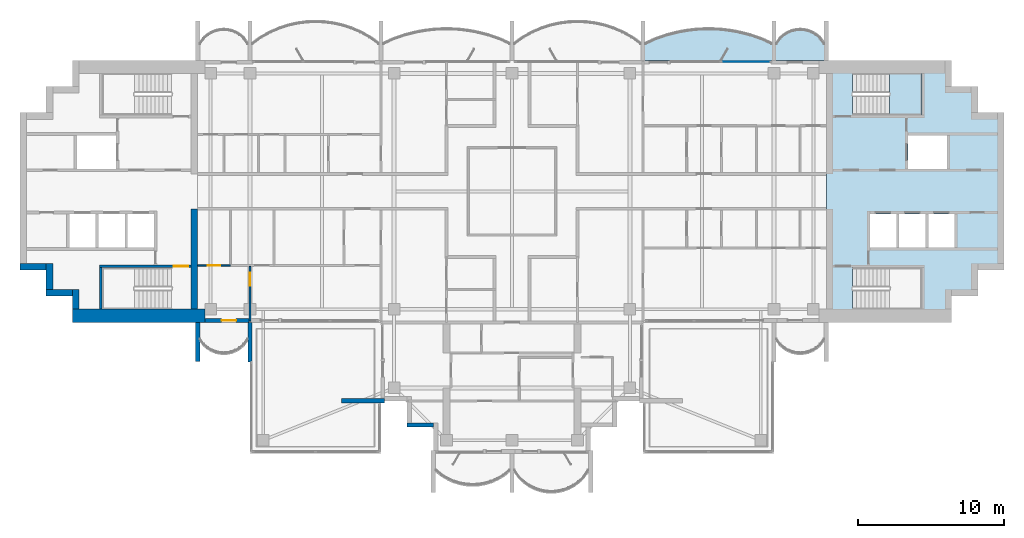
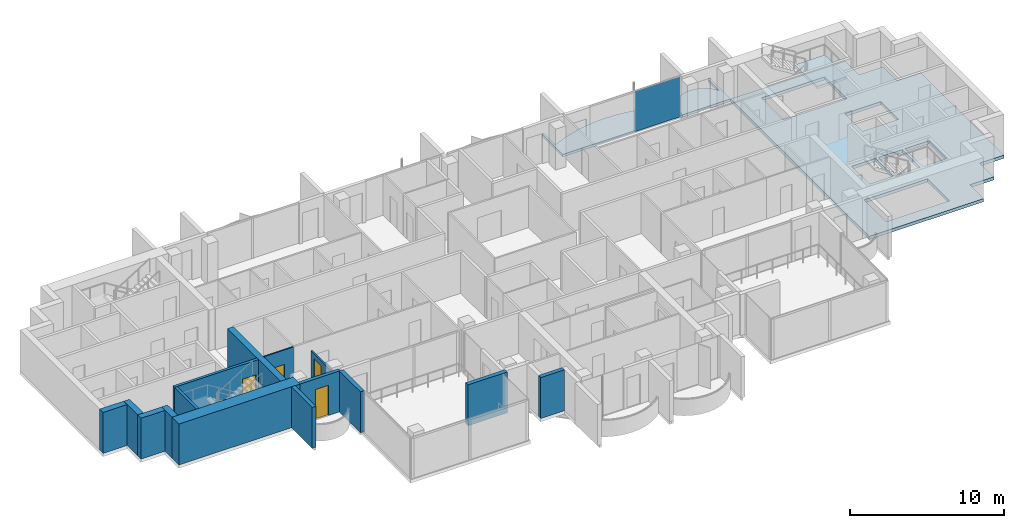
# One storey, part 6 of 16: 15 walls, 4 doors, 4 slabs, 1 plate, 4 openings, 2 elements without a shape of their own.
"""IFC4 building model written with IfcOpenShell, lengths in metres."""

from ifc_helpers import new_model, si_unit, direction, frame, frame_2d, origin, origin_2d, place, context, subcontext, project, spatial, polyline, rectangle, outline, extrude, material, layer, layer_set, type_object, element, fill, aggregate, save


model = new_model("IFC4")

# Units and contexts
model_context = context("Model", 3, precision=1e-05, world=origin(), true_north=direction((0.0, 1.0)))
body_context = subcontext(model_context, "Body", "Model", "MODEL_VIEW")
ifc_project = project(units=[si_unit("LENGTHUNIT", "METRE"), si_unit("AREAUNIT", "SQUARE_METRE"), si_unit("VOLUMEUNIT", "CUBIC_METRE"), si_unit("PLANEANGLEUNIT", "RADIAN"), si_unit("MASSUNIT", "GRAM", prefix="KILO")], contexts=[model_context])

# Site, building, storey
site_placement = place(None, origin())
site = spatial("IfcSite", under=ifc_project, at=site_placement, CompositionType="ELEMENT")
building_placement = place(site_placement, origin())
building = spatial("IfcBuilding", under=site, at=building_placement, Name="Perihelion Cross Residences", CompositionType="ELEMENT")
storey_placement = place(building_placement, frame((0.0, 0.0, 246.5)))
storey = spatial("IfcBuildingStorey", under=building, at=storey_placement, Name="L62", CompositionType="ELEMENT", Elevation=246.5)

# Slabs
ifc_material_1 = material(Name="Concrete C40/50", Category="concrete")
ifc_layer_1 = layer(ifc_material_1, 0.199951171875)
ifc_layer_set_1 = layer_set([ifc_layer_1], Name="Balcony slab 200")
slab_type_1 = type_object("IfcSlabType", Name="Balcony slab 200", PredefinedType="FLOOR", material=ifc_layer_set_1)
slab_1_placement = place(storey_placement, frame((0.0, 0.0, -0.199951171875)))
element("IfcSlab", 1, at=slab_1_placement, inside=storey, type_object=slab_type_1, Name="Slab BK1 L62 east side north bay 1 balcony", PredefinedType="FLOOR", context=body_context, shape_type="SweptSolid", body=[
    extrude(outline(polyline([(21.60009765625, 9.0), (18.0, 9.0), (18.0, 11.699951171875), (18.14990234375, 11.699951171875), (18.14990234375, 10.199951171875), (18.425048828125, 10.568603515625), (18.699951171875, 10.806396484375), (18.97509765625, 10.96875), (19.25, 11.07568359375), (19.52490234375, 11.136962890625), (19.800048828125, 11.156982421875), (20.074951171875, 11.136962890625), (20.35009765625, 11.07568359375), (20.625, 10.96875), (20.89990234375, 10.806396484375), (21.175048828125, 10.568603515625), (21.449951171875, 10.199951171875), (21.449951171875, 11.699951171875), (21.60009765625, 11.699951171875), (21.60009765625, 9.0)])), origin(), (0.0, 0.0, 1.0), 0.199951171875),
])
slab_2_placement = place(storey_placement, frame((0.0, 0.0, -0.199951171875)))
element("IfcSlab", 2, at=slab_2_placement, inside=storey, type_object=slab_type_1, Name="Slab BK1 L62 east side north bay 2 balcony", PredefinedType="FLOOR", context=body_context, shape_type="SweptSolid", body=[
    extrude(outline(polyline([(18.0, 9.0), (9.0, 9.0), (9.0, 11.699951171875), (9.14990234375, 11.699951171875), (9.14990234375, 10.199951171875), (9.875, 10.51708984375), (10.60009765625, 10.7685546875), (11.324951171875, 10.959716796875), (12.050048828125, 11.093994140625), (12.77490234375, 11.173583984375), (13.5, 11.199951171875), (14.22509765625, 11.173583984375), (14.949951171875, 11.093994140625), (15.675048828125, 10.959716796875), (16.39990234375, 10.7685546875), (17.125, 10.51708984375), (17.85009765625, 10.199951171875), (17.85009765625, 11.699951171875), (18.0, 11.699951171875), (18.0, 9.0)])), origin(), (0.0, 0.0, 1.0), 0.199951171875),
])

# Curtain wall, plate
ifc_material_2 = material(Name="Bronze anodised aluminium, tinted glazing", Category="aluminium")
curtain_wall_type = type_object("IfcCurtainWallType", Name="CW1", PredefinedType="NOTDEFINED", material=ifc_material_2)
curtain_wall_placement = place(storey_placement, origin())
curtain_wall = element("IfcCurtainWall", 3, at=curtain_wall_placement, inside=storey, type_object=curtain_wall_type, Name="Curtain wall CW1 L62 east side north bay 2", PredefinedType="NOTDEFINED")
ifc_material_3 = material(Name="Tinted laminated glass", Category="glass")
ifc_layer_2 = layer(ifc_material_3, 0.028076171875)
ifc_layer_set_2 = layer_set([ifc_layer_2], Name="CW1 panel")
plate_type = type_object("IfcPlateType", Name="CW1 panel", PredefinedType="CURTAIN_PANEL", material=ifc_layer_set_2)
plate_placement = place(storey_placement, frame((16.06005859375, 8.89990234375, 0.0), z_axis=(0.0, 0.0, 1.0), x_axis=(-1.0, 0.0, 0.0)))
plate = element("IfcPlate", 4, at=plate_placement, type_object=plate_type, Name="CW1 panel 1", PredefinedType="CURTAIN_PANEL", context=body_context, shape_type="SweptSolid", body=[
    extrude(rectangle(XDim=3.360107421875, YDim=0.028076171875, at=origin_2d()), origin(), (0.0, 0.0, 1.0), 3.18994140625),
])
aggregate(curtain_wall, [plate])

# Slab
ifc_material_4 = material(Name="Concrete C40/50", Category="concrete")
ifc_layer_3 = layer(ifc_material_4, 0.25)
ifc_layer_set_3 = layer_set([ifc_layer_3], Name="Core floor slab 250")
slab_type_2 = type_object("IfcSlabType", Name="Core floor slab 250", PredefinedType="FLOOR", material=ifc_layer_set_3)
slab_3_placement = place(storey_placement, frame((0.0, 0.0, -0.25)))
element("IfcSlab", 5, at=slab_3_placement, inside=storey, type_object=slab_type_2, Name="East core floor slab", PredefinedType="FLOOR", context=body_context, shape_type="SweptSolid", body=[
    extrude(outline(polyline([(30.199951171875, 7.199951171875), (32.0, 7.199951171875), (32.0, 5.39990234375), (33.800048828125, 5.39990234375), (33.800048828125, -5.39990234375), (32.0, -5.39990234375), (32.0, -7.199951171875), (30.199951171875, -7.199951171875), (30.199951171875, -9.0), (21.60009765625, -9.0), (21.60009765625, 9.0), (30.199951171875, 9.0), (30.199951171875, 7.199951171875)]), holes=[polyline([(28.14990234375, -8.10009765625), (28.14990234375, -5.25), (23.405029296875, -5.25), (23.405029296875, -8.10009765625), (28.14990234375, -8.10009765625)]), polyline([(24.60009765625, -1.550048828125), (24.60009765625, -3.85009765625), (26.39990234375, -3.85009765625), (26.39990234375, -1.550048828125), (24.60009765625, -1.550048828125)]), polyline([(26.60009765625, -1.550048828125), (26.60009765625, -3.85009765625), (28.39990234375, -3.85009765625), (28.39990234375, -1.550048828125), (26.60009765625, -1.550048828125)]), polyline([(28.60009765625, -3.85009765625), (30.39990234375, -3.85009765625), (30.39990234375, -1.550048828125), (28.60009765625, -1.550048828125), (28.60009765625, -3.85009765625)]), polyline([(27.199951171875, 3.85009765625), (27.199951171875, 1.550048828125), (29.89990234375, 1.550048828125), (29.89990234375, 3.85009765625), (27.199951171875, 3.85009765625)]), polyline([(23.405029296875, 5.25), (28.14990234375, 5.25), (28.14990234375, 8.10009765625), (23.405029296875, 8.10009765625), (23.405029296875, 5.25)])]), origin(), (0.0, 0.0, 1.0), 0.25),
])

# Stair, slab
ifc_material_5 = material(Name="Concrete C40/50", Category="concrete")
stair_type = type_object("IfcStairType", Name="Exit stair, half-turn", PredefinedType="HALF_TURN_STAIR", material=ifc_material_5)
stair_placement = place(storey_placement, origin())
stair = element("IfcStair", 6, at=stair_placement, inside=storey, type_object=stair_type, Name="L62 East core exit stair 1", PredefinedType="HALF_TURN_STAIR")
ifc_material_6 = material(Name="Concrete C40/50", Category="concrete")
ifc_layer_4 = layer(ifc_material_6, 0.199951171875)
ifc_layer_set_4 = layer_set([ifc_layer_4], Name="Exit stair landing 200")
slab_type_3 = type_object("IfcSlabType", Name="Exit stair landing 200", PredefinedType="LANDING", material=ifc_layer_set_4)
slab_4_placement = place(storey_placement, frame((0.0, 0.0, 1.550048828125)))
slab_4 = element("IfcSlab", 7, at=slab_4_placement, type_object=slab_type_3, Name="ST-E1 landing 1", PredefinedType="LANDING", context=body_context, shape_type="SweptSolid", body=[
    extrude(outline(polyline([(25.919921875, 5.25), (28.14990234375, 5.25), (28.14990234375, 8.10009765625), (25.919921875, 8.10009765625), (25.919921875, 5.25)])), origin(), (0.0, 0.0, 1.0), 0.199951171875),
])
aggregate(stair, [slab_4])

# Wall, opening, door
ifc_material_7 = material(Name="Concrete C30/37, bronze-clad", Category="concrete")
ifc_layer_5 = layer(ifc_material_7, 0.25)
ifc_layer_set_5 = layer_set([ifc_layer_5], Name="Bronze-clad pier wall 250")
wall_type_1 = type_object("IfcWallType", Name="Bronze-clad pier wall 250", PredefinedType="SOLIDWALL", material=ifc_layer_set_5)
wall_1_placement = place(storey_placement, frame((-21.10009765625, -8.875, 0.0), z_axis=(0.0, 0.0, 1.0), x_axis=(1.0, 0.0, 0.0)))
wall_1 = element("IfcWall", 8, at=wall_1_placement, inside=storey, type_object=wall_type_1, Name="Wall FW1 L62 west side south bay 1 pier", PredefinedType="SOLIDWALL", context=body_context, shape_type="SweptSolid", body=[
    extrude(rectangle(XDim=3.0400390625, YDim=0.25, at=frame_2d((1.52001953125, 0.0))), origin(), (0.0, 0.0, 1.0), 3.25),
])
opening_1_placement = place(wall_1_placement, frame((1.14990234375, 0.0, 0.0)))
opening_1 = element("IfcOpeningElement", 9, at=opening_1_placement, cuts=wall_1, Name="Opening L62.E07", PredefinedType="OPENING", context=body_context, shape_type="SweptSolid", body=[
    extrude(rectangle(XDim=1.0, YDim=2.39990234375, at=frame_2d((0.5, 1.199951171875))), frame((0.0, 0.135009765625, 0.0), z_axis=(0.0, -1.0, 0.0), x_axis=(1.0, 0.0, 0.0)), (0.0, 0.0, 1.0), 0.27001953125),
])
ifc_material_8 = material(Name="Bronze anodised aluminium, glazed", Category="aluminium")
door_type_1 = type_object("IfcDoorType", Name="Balcony door 1000 x 2400", OperationType="NOTDEFINED", PredefinedType="DOOR", material=ifc_material_8)
door_1_placement = place(opening_1_placement, origin())
door_1 = element("IfcDoor", 10, at=door_1_placement, inside=storey, type_object=door_type_1, Name="Door L62.E07 west side south bay 1", OperationType="SINGLE_SWING_LEFT", OverallHeight=2.39990234375, OverallWidth=1.0, PredefinedType="DOOR", context=body_context, shape_type="SweptSolid", body=[
    extrude(rectangle(XDim=1.0, YDim=2.39990234375, at=frame_2d((0.5, 1.199951171875))), frame((0.0, 0.02490234375, 0.0), z_axis=(0.0, -1.0, 0.0), x_axis=(1.0, 0.0, 0.0)), (0.0, 0.0, 1.0), 0.050048828125),
])
fill(opening_1, door_1)

# Walls
ifc_material_9 = material(Name="Concrete C30/37, bronze-clad", Category="concrete")
ifc_layer_6 = layer(ifc_material_9, 0.300048828125)
ifc_layer_set_6 = layer_set([ifc_layer_6], Name="Bronze-clad serration wall 300")
wall_type_2 = type_object("IfcWallType", Name="Bronze-clad serration wall 300", PredefinedType="SOLIDWALL", material=ifc_layer_set_6)
wall_2_placement = place(storey_placement, frame((-7.199951171875, -16.050048828125, 0.0), z_axis=(0.0, 0.0, 1.0), x_axis=(1.0, 0.0, 0.0)))
element("IfcWall", 11, at=wall_2_placement, inside=storey, type_object=wall_type_2, Name="Wall SR1 L62 south corner south-west 3", PredefinedType="SOLIDWALL", context=body_context, shape_type="SweptSolid", body=[
    extrude(rectangle(XDim=1.800048828125, YDim=0.300048828125, at=frame_2d((0.89990234375, 0.0))), origin(), (0.0, 0.0, 1.0), 3.25),
])
ifc_material_10 = material(Name="Concrete C60/75", Category="concrete")
ifc_layer_7 = layer(ifc_material_10, 0.449951171875)
ifc_layer_set_7 = layer_set([ifc_layer_7], Name="Core wall, inner 450")
wall_type_3 = type_object("IfcWallType", Name="Core wall, inner 450", PredefinedType="SHEAR", material=ifc_layer_set_7)
wall_3_placement = place(storey_placement, frame((-21.824951171875, -8.10009765625, 0.0), z_axis=(0.0, 0.0, 1.0), x_axis=(0.0, 1.0, 0.0)))
element("IfcWall", 12, at=wall_3_placement, inside=storey, type_object=wall_type_3, Name="West core core wall, inner", PredefinedType="SHEAR", context=body_context, shape_type="SweptSolid", body=[
    extrude(rectangle(XDim=6.900146484375, YDim=0.449951171875, at=frame_2d((3.4501953125, 0.0))), origin(), (0.0, 0.0, 1.0), 3.25),
])
ifc_material_11 = material(Name="Concrete C60/75", Category="concrete")
ifc_layer_8 = layer(ifc_material_11, 0.449951171875)
ifc_layer_set_8 = layer_set([ifc_layer_8], Name="Core wall, outer 450")
wall_type_4 = type_object("IfcWallType", Name="Core wall, outer 450", PredefinedType="SHEAR", material=ifc_layer_set_8)
wall_4_placement = place(storey_placement, frame((-29.97509765625, -8.10009765625, 0.0), z_axis=(0.0, 0.0, 1.0), x_axis=(0.0, 1.0, 0.0)))
element("IfcWall", 13, at=wall_4_placement, inside=storey, type_object=wall_type_4, Name="West core core wall, outer", PredefinedType="SHEAR", context=body_context, shape_type="SweptSolid", body=[
    extrude(rectangle(XDim=1.35009765625, YDim=0.449951171875, at=frame_2d((0.675048828125, 0.0))), origin(), (0.0, 0.0, 1.0), 3.25),
])
for number, where, z_axis, x_axis, name in (
    (14, (-32.0, -6.97509765625, 0.0), (0.0, 0.0, 1.0), (1.0, 0.0, 0.0), "West core core wall, outer"),
    (15, (-31.77490234375, -6.75, 0.0), (0.0, 0.0, 1.0), (0.0, 1.0, 0.0), "West core core wall, outer"),
    (16, (-33.800048828125, -5.175048828125, 0.0), (0.0, 0.0, 1.0), (1.0, 0.0, 0.0), "West core core wall, outer"),
):
    element("IfcWall", number, at=place(storey_placement, frame(where, z_axis=z_axis, x_axis=x_axis)), inside=storey, type_object=wall_type_4, Name=name, PredefinedType="SHEAR", context=body_context, shape_type="SweptSolid", body=[
        extrude(rectangle(XDim=1.800048828125, YDim=0.449951171875, at=frame_2d((0.89990234375, 0.0))), origin(), (0.0, 0.0, 1.0), 3.25),
    ])
ifc_material_12 = material(Name="Concrete C60/75", Category="concrete")
ifc_layer_9 = layer(ifc_material_12, 0.89990234375)
ifc_layer_set_9 = layer_set([ifc_layer_9], Name="Core wall, outer 900")
wall_type_5 = type_object("IfcWallType", Name="Core wall, outer 900", PredefinedType="SHEAR", material=ifc_layer_set_9)
wall_5_placement = place(storey_placement, frame((-30.199951171875, -8.550048828125, 0.0), z_axis=(0.0, 0.0, 1.0), x_axis=(1.0, 0.0, 0.0)))
element("IfcWall", 17, at=wall_5_placement, inside=storey, type_object=wall_type_5, Name="West core core wall, outer", PredefinedType="SHEAR", context=body_context, shape_type="SweptSolid", body=[
    extrude(rectangle(XDim=9.099853515625, YDim=0.89990234375, at=frame_2d((4.5498046875, 0.0))), origin(), (0.0, 0.0, 1.0), 3.25),
])

# Wall, opening, door
ifc_material_13 = material(Name="Plasterboard partition")
ifc_layer_10 = layer(ifc_material_13, 0.1201171875)
ifc_layer_set_10 = layer_set([ifc_layer_10], Name="Partition wall 120")
wall_type_6 = type_object("IfcWallType", Name="Partition wall 120", PredefinedType="PARTITIONING", material=ifc_layer_set_10)
wall_6_placement = place(storey_placement, frame((-18.0, -8.919921875, 0.0), z_axis=(0.0, 0.0, 1.0), x_axis=(0.0, 1.0, 0.0)))
wall_6 = element("IfcWall", 18, at=wall_6_placement, inside=storey, type_object=wall_type_6, Name="Partition L62 W057", PredefinedType="PARTITIONING", context=body_context, shape_type="SweptSolid", body=[
    extrude(rectangle(XDim=3.760009765625, YDim=0.1201171875, at=frame_2d((1.8798828125, 0.0))), origin(), (0.0, 0.0, 1.0), 2.49609375),
])
opening_2_placement = place(wall_6_placement, frame((2.43994140625, 0.0, 0.0)))
opening_2 = element("IfcOpeningElement", 19, at=opening_2_placement, cuts=wall_6, Name="Opening L62.A29", PredefinedType="OPENING", context=body_context, shape_type="SweptSolid", body=[
    extrude(rectangle(XDim=0.89990234375, YDim=2.10009765625, at=frame_2d((0.449951171875, 1.050048828125))), frame((0.0, 0.070068359375, 0.0), z_axis=(0.0, -1.0, 0.0), x_axis=(1.0, 0.0, 0.0)), (0.0, 0.0, 1.0), 0.14013671875),
])
ifc_material_14 = material(Name="Timber door leaf", Category="wood")
door_type_2 = type_object("IfcDoorType", Name="Interior room door 900 x 2100", OperationType="SINGLE_SWING_LEFT", PredefinedType="DOOR", material=ifc_material_14)
door_2_placement = place(opening_2_placement, origin())
door_2 = element("IfcDoor", 20, at=door_2_placement, inside=storey, type_object=door_type_2, Name="Door L62.A29", OperationType="SINGLE_SWING_RIGHT", OverallHeight=2.10009765625, OverallWidth=0.89990234375, PredefinedType="DOOR", context=body_context, shape_type="SweptSolid", body=[
    extrude(rectangle(XDim=0.89990234375, YDim=2.10009765625, at=frame_2d((0.449951171875, 1.050048828125))), frame((0.0, 0.02490234375, 0.0), z_axis=(0.0, -1.0, 0.0), x_axis=(1.0, 0.0, 0.0)), (0.0, 0.0, 1.0), 0.050048828125),
])
fill(opening_2, door_2)

# Walls
ifc_material_15 = material(Name="Precast concrete C50/60", Category="concrete")
ifc_layer_11 = layer(ifc_material_15, 0.300048828125)
ifc_layer_set_11 = layer_set([ifc_layer_11], Name="Precast concrete C50/60 blade wall 300")
wall_type_7 = type_object("IfcWallType", Name="Precast concrete C50/60 blade wall 300", PredefinedType="SOLIDWALL", material=ifc_layer_set_11)
wall_7_placement = place(storey_placement, frame((-21.60009765625, -9.0, 0.0), z_axis=(0.0, 0.0, 1.0), x_axis=(0.0, -1.0, 0.0)))
element("IfcWall", 21, at=wall_7_placement, inside=storey, type_object=wall_type_7, Name="Wall BL1 L62 no. 3", PredefinedType="SOLIDWALL", context=body_context, shape_type="SweptSolid", body=[
    extrude(rectangle(XDim=2.699951171875, YDim=0.300048828125, at=frame_2d((1.35009765625, 0.0))), origin(), (0.0, 0.0, 1.0), 3.25),
])
wall_8_placement = place(storey_placement, frame((-18.0, -9.0, 0.0), z_axis=(0.0, 0.0, 1.0), x_axis=(0.0, -1.0, 0.0)))
element("IfcWall", 22, at=wall_8_placement, inside=storey, type_object=wall_type_7, Name="Wall BL1 L62 no. 1", PredefinedType="SOLIDWALL", context=body_context, shape_type="SweptSolid", body=[
    extrude(rectangle(XDim=2.739990234375, YDim=0.300048828125, at=frame_2d((1.3701171875, 0.0))), origin(), (0.0, 0.0, 1.0), 3.25),
])
wall_9_placement = place(storey_placement, frame((-8.75, -14.39990234375, 0.0), z_axis=(0.0, 0.0, 1.0), x_axis=(-1.0, 0.0, 0.0)))
element("IfcWall", 23, at=wall_9_placement, inside=storey, type_object=wall_type_7, Name="Wall BL1 L62 no. 6", PredefinedType="SOLIDWALL", context=body_context, shape_type="SweptSolid", body=[
    extrude(rectangle(XDim=2.949951171875, YDim=0.300048828125, at=frame_2d((1.47509765625, 0.0))), origin(), (0.0, 0.0, 1.0), 3.25),
])

# Wall, opening, door
ifc_material_16 = material(Name="Concrete C50/60", Category="concrete")
ifc_layer_12 = layer(ifc_material_16, 0.199951171875)
ifc_layer_set_12 = layer_set([ifc_layer_12], Name="Stair wall 200")
wall_type_8 = type_object("IfcWallType", Name="Stair wall 200", PredefinedType="SOLIDWALL", material=ifc_layer_set_12)
wall_10_placement = place(storey_placement, frame((-28.35009765625, -5.14990234375, 0.0), z_axis=(0.0, 0.0, 1.0), x_axis=(1.0, 0.0, 0.0)))
wall_10 = element("IfcWall", 24, at=wall_10_placement, inside=storey, type_object=wall_type_8, Name="West core stair wall", PredefinedType="SOLIDWALL", context=body_context, shape_type="SweptSolid", body=[
    extrude(rectangle(XDim=6.300048828125, YDim=0.199951171875, at=frame_2d((3.14990234375, 0.0))), origin(), (0.0, 0.0, 1.0), 3.25),
])
opening_3_placement = place(wall_10_placement, frame((5.10009765625, 0.0, 0.0)))
opening_3 = element("IfcOpeningElement", 25, at=opening_3_placement, cuts=wall_10, Name="Opening L62.C17", PredefinedType="OPENING", context=body_context, shape_type="SweptSolid", body=[
    extrude(rectangle(XDim=1.0, YDim=2.10009765625, at=frame_2d((0.5, 1.050048828125))), frame((0.0, 0.10986328125, 0.0), z_axis=(0.0, -1.0, 0.0), x_axis=(1.0, 0.0, 0.0)), (0.0, 0.0, 1.0), 0.219970703125),
])
ifc_material_17 = material(Name="Steel, powder coated", Category="steel")
door_type_3 = type_object("IfcDoorType", Name="Stair door 1000", OperationType="SINGLE_SWING_LEFT", PredefinedType="DOOR", material=ifc_material_17)
door_3_placement = place(opening_3_placement, origin())
door_3 = element("IfcDoor", 26, at=door_3_placement, inside=storey, type_object=door_type_3, Name="West core stair door", OperationType="SINGLE_SWING_LEFT", OverallHeight=2.10009765625, OverallWidth=1.0, PredefinedType="DOOR", context=body_context, shape_type="SweptSolid", body=[
    extrude(rectangle(XDim=1.0, YDim=2.10009765625, at=frame_2d((0.5, 1.050048828125))), frame((0.0, 0.02490234375, 0.0), z_axis=(0.0, -1.0, 0.0), x_axis=(1.0, 0.0, 0.0)), (0.0, 0.0, 1.0), 0.050048828125),
])
fill(opening_3, door_3)

# Wall
wall_11_placement = place(storey_placement, frame((-28.25, -8.10009765625, 0.0), z_axis=(0.0, 0.0, 1.0), x_axis=(0.0, 1.0, 0.0)))
element("IfcWall", 27, at=wall_11_placement, inside=storey, type_object=wall_type_8, Name="West core stair wall", PredefinedType="SOLIDWALL", context=body_context, shape_type="SweptSolid", body=[
    extrude(rectangle(XDim=2.85009765625, YDim=0.199951171875, at=frame_2d((1.425048828125, 0.0))), origin(), (0.0, 0.0, 1.0), 3.25),
])

# Wall, opening, door
ifc_material_18 = material(Name="Plasterboard partition")
ifc_layer_13 = layer(ifc_material_18, 0.10009765625)
ifc_layer_set_13 = layer_set([ifc_layer_13], Name="Wet room wall 100")
wall_type_9 = type_object("IfcWallType", Name="Wet room wall 100", PredefinedType="PARTITIONING", material=ifc_layer_set_13)
wall_12_placement = place(storey_placement, frame((-19.35009765625, -5.10009765625, 0.0), z_axis=(0.0, 0.0, 1.0), x_axis=(-1.0, 0.0, 0.0)))
wall_12 = element("IfcWall", 28, at=wall_12_placement, inside=storey, type_object=wall_type_9, Name="Partition L62 W056", PredefinedType="PARTITIONING", context=body_context, shape_type="SweptSolid", body=[
    extrude(rectangle(XDim=2.25, YDim=0.10009765625, at=frame_2d((1.125, 0.0))), origin(), (0.0, 0.0, 1.0), 3.25),
])
opening_4_placement = place(wall_12_placement, frame((0.699951171875, 0.0, 0.0)))
opening_4 = element("IfcOpeningElement", 29, at=opening_4_placement, cuts=wall_12, Name="Opening L62.A25", PredefinedType="OPENING", context=body_context, shape_type="SweptSolid", body=[
    extrude(rectangle(XDim=0.85009765625, YDim=2.10009765625, at=frame_2d((0.425048828125, 1.050048828125))), frame((0.0, 0.06005859375, 0.0), z_axis=(0.0, -1.0, 0.0), x_axis=(1.0, 0.0, 0.0)), (0.0, 0.0, 1.0), 0.1201171875),
])
ifc_material_19 = material(Name="Timber door leaf", Category="wood")
door_type_4 = type_object("IfcDoorType", Name="Interior bathroom door 850 x 2100", OperationType="SINGLE_SWING_LEFT", PredefinedType="DOOR", material=ifc_material_19)
door_4_placement = place(opening_4_placement, origin())
door_4 = element("IfcDoor", 30, at=door_4_placement, inside=storey, type_object=door_type_4, Name="Door L62.A25", OperationType="SINGLE_SWING_LEFT", OverallHeight=2.10009765625, OverallWidth=0.85009765625, PredefinedType="DOOR", context=body_context, shape_type="SweptSolid", body=[
    extrude(rectangle(XDim=0.85009765625, YDim=2.10009765625, at=frame_2d((0.425048828125, 1.050048828125))), frame((0.0, 0.02490234375, 0.0), z_axis=(0.0, -1.0, 0.0), x_axis=(1.0, 0.0, 0.0)), (0.0, 0.0, 1.0), 0.050048828125),
])
fill(opening_4, door_4)

save(model, "model.ifc")
